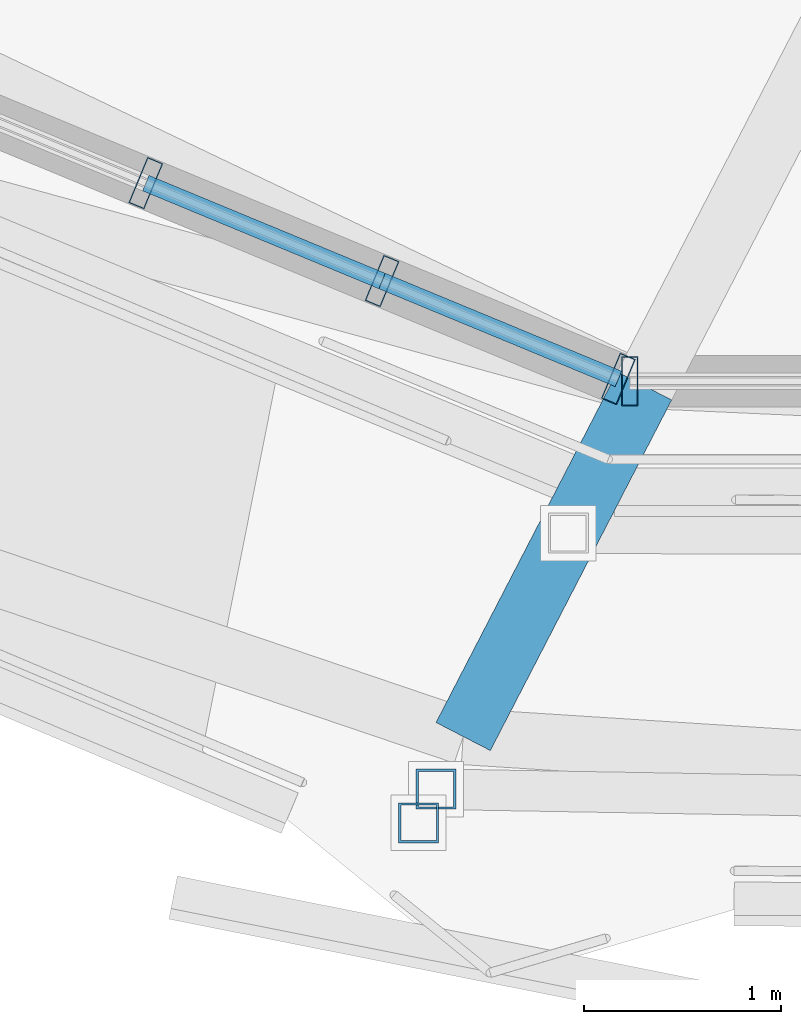
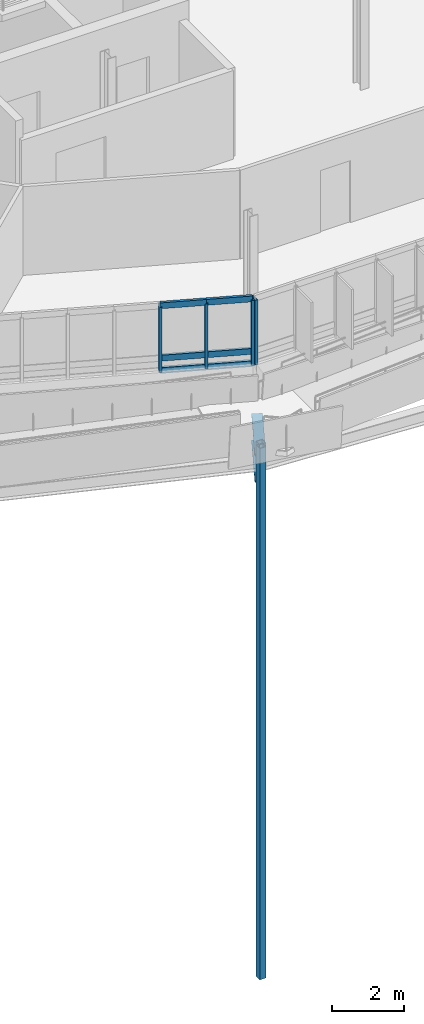
# One storey, part 4 of 38: 12 members, 1 beam, 2 elements without a shape of their own.
"""IFC4 building model written with IfcOpenShell, lengths in metres."""

from ifc_helpers import new_model, si_unit, derived_unit, direction, frame, origin, origin_2d, place, context, subcontext, project, spatial, hollow_rectangle, i_section, extrude, material, layer, layer_set, material_profile, profile_set, type_object, element, aggregate, save


model = new_model("IFC4")

# Units and contexts
model_context = context("Model", 3, precision=1e-05, world=origin(), true_north=direction((0.0, 1.0)))
body_context = subcontext(model_context, "Body", "Model", "MODEL_VIEW")
ifc_project = project(units=[si_unit("LENGTHUNIT", "METRE"), si_unit("AREAUNIT", "SQUARE_METRE"), si_unit("VOLUMEUNIT", "CUBIC_METRE"), si_unit("PLANEANGLEUNIT", "RADIAN"), si_unit("MASSUNIT", "GRAM", prefix="KILO"), derived_unit("THERMALTRANSMITTANCEUNIT", [(si_unit("MASSUNIT", "GRAM", prefix="KILO"), 1), (si_unit("TIMEUNIT", "SECOND"), -3), (si_unit("THERMODYNAMICTEMPERATUREUNIT", "KELVIN"), -1)])], contexts=[model_context])

# Site, building, storey
site_placement = place(None, origin())
site = spatial("IfcSite", under=ifc_project, at=site_placement, CompositionType="ELEMENT")
building_placement = place(site_placement, origin())
building = spatial("IfcBuilding", under=site, at=building_placement, Name="Makaiwela Harbour Ferry Terminal", CompositionType="ELEMENT")
storey_placement = place(building_placement, frame((0.0, 0.0, 17.699951171875)))
storey = spatial("IfcBuildingStorey", under=building, at=storey_placement, Name="L04", CompositionType="ELEMENT", Elevation=17.699951171875)

# Curtain wall, members
ifc_material_1 = material(Name="Marine anodised aluminium 6063-T6", Category="aluminium")
ifc_layer = layer(ifc_material_1, 0.199951171875)
ifc_layer_set = layer_set([ifc_layer], Name="Marine anodised aluminium 6063-T6")
curtain_wall_type = type_object("IfcCurtainWallType", Name="ENV-CW-06", PredefinedType="USERDEFINED", material=ifc_layer_set)
curtain_wall_1_placement = place(storey_placement, origin())
curtain_wall_1 = element("IfcCurtainWall", 1, at=curtain_wall_1_placement, inside=storey, type_object=curtain_wall_type, Name="Unitised Curtain Wall CWA-052", ObjectType="UNITIZED CURTAIN WALL", PredefinedType="USERDEFINED")
ifc_material_profile_1 = material_profile(ifc_material_1, hollow_rectangle(XDim=0.0849609375, YDim=0.25, WallThickness=0.0048828125, at=origin_2d()), Name="CWM-250X85")
ifc_profile_set_1 = profile_set([ifc_material_profile_1], Name="Marine anodised aluminium 6063-T6")
member_type_1 = type_object("IfcMemberType", Name="CW-MUL-250", PredefinedType="MULLION", material=ifc_profile_set_1)
member_1_placement = place(storey_placement, frame((29.06298828125, 46.82275390625, 1.47998046875), z_axis=(0.0, 0.0, 1.0), x_axis=(-0.923879532511, 0.382683432365, 0.0)))
member_1 = element("IfcMember", 2, at=member_1_placement, type_object=member_type_1, Name="Curtain Wall Mullion CWA-052-6", PredefinedType="MULLION", context=body_context, shape_type="SweptSolid", body=[
    extrude(hollow_rectangle(XDim=0.0849609375, YDim=0.25, WallThickness=0.0048828125, at=origin_2d()), origin(), (0.0, 0.0, 1.0), 2.199951171875),
])
member_2_placement = place(storey_placement, frame((30.260009765625, 46.326904296875, 1.47998046875), z_axis=(0.0, 0.0, 1.0), x_axis=(-0.923879532511, 0.382683432365, 0.0)))
member_2 = element("IfcMember", 3, at=member_2_placement, type_object=member_type_1, Name="Curtain Wall Mullion CWA-052-7", PredefinedType="MULLION", context=body_context, shape_type="SweptSolid", body=[
    extrude(hollow_rectangle(XDim=0.0849609375, YDim=0.25, WallThickness=0.0048828125, at=origin_2d()), origin(), (0.0, 0.0, 1.0), 2.199951171875),
])
member_3_placement = place(storey_placement, frame((31.457275390625, 45.8310546875, 1.47998046875), z_axis=(0.0, 0.0, 1.0), x_axis=(-0.923879532511, 0.382683432365, 0.0)))
member_3 = element("IfcMember", 4, at=member_3_placement, type_object=member_type_1, Name="Curtain Wall Mullion CWA-052-8", PredefinedType="MULLION", context=body_context, shape_type="SweptSolid", body=[
    extrude(hollow_rectangle(XDim=0.0849609375, YDim=0.25, WallThickness=0.0048828125, at=origin_2d()), origin(), (0.0, 0.0, 1.0), 2.199951171875),
])

# Curtain wall, member
curtain_wall_2_placement = place(storey_placement, origin())
curtain_wall_2 = element("IfcCurtainWall", 5, at=curtain_wall_2_placement, inside=storey, type_object=curtain_wall_type, Name="Unitised Curtain Wall CWA-053", ObjectType="UNITIZED CURTAIN WALL", PredefinedType="USERDEFINED")
member_4_placement = place(storey_placement, frame((31.514892578125, 45.819580078125, 1.47998046875), z_axis=(0.0, 0.0, 1.0), x_axis=(1.0, 0.0, 0.0)))
member_4 = element("IfcMember", 6, at=member_4_placement, type_object=member_type_1, Name="Curtain Wall Mullion CWA-053-1", PredefinedType="MULLION", context=body_context, shape_type="SweptSolid", body=[
    extrude(hollow_rectangle(XDim=0.0849609375, YDim=0.25, WallThickness=0.0048828125, at=origin_2d()), origin(), (0.0, 0.0, 1.0), 2.199951171875),
])
aggregate(curtain_wall_2, [member_4])

# Member
ifc_material_profile_2 = material_profile(ifc_material_1, hollow_rectangle(XDim=0.0849609375, YDim=0.199951171875, WallThickness=0.0048828125, at=origin_2d()), Name="CWT-200X85")
ifc_profile_set_2 = profile_set([ifc_material_profile_2], Name="Marine anodised aluminium 6063-T6")
member_type_2 = type_object("IfcMemberType", Name="CW-TRN-200", PredefinedType="USERDEFINED", material=ifc_profile_set_2)
member_5_placement = place(storey_placement, frame((29.06298828125, 46.82275390625, 1.47998046875), z_axis=(0.92387214393, -0.382701269492, 0.0), x_axis=(0.382701269492, 0.92387214393, 0.0)))
member_5 = element("IfcMember", 7, at=member_5_placement, type_object=member_type_2, Name="Curtain Wall Transom CWA-052-6-1", ObjectType="TRANSOM", PredefinedType="USERDEFINED", context=body_context, shape_type="SweptSolid", body=[
    extrude(hollow_rectangle(XDim=0.0849609375, YDim=0.199951171875, WallThickness=0.0048828125, at=origin_2d()), origin(), (0.0, 0.0, 1.0), 1.295654296875),
])

member_6_placement = place(storey_placement, frame((29.06298828125, 46.82275390625, 1.900146484375), z_axis=(0.92387214393, -0.382701269492, 0.0), x_axis=(0.382701269492, 0.92387214393, 0.0)))
member_6 = element("IfcMember", 8, at=member_6_placement, type_object=member_type_2, Name="Curtain Wall Transom CWA-052-6-2", ObjectType="TRANSOM", PredefinedType="USERDEFINED", context=body_context, shape_type="SweptSolid", body=[
    extrude(hollow_rectangle(XDim=0.0849609375, YDim=0.199951171875, WallThickness=0.0048828125, at=origin_2d()), origin(), (0.0, 0.0, 1.0), 1.295654296875),
])

member_7_placement = place(storey_placement, frame((29.06298828125, 46.82275390625, 3.679931640625), z_axis=(0.92387214393, -0.382701269492, 0.0), x_axis=(0.382701269492, 0.92387214393, 0.0)))
member_7 = element("IfcMember", 9, at=member_7_placement, type_object=member_type_2, Name="Curtain Wall Transom CWA-052-6-3", ObjectType="TRANSOM", PredefinedType="USERDEFINED", context=body_context, shape_type="SweptSolid", body=[
    extrude(hollow_rectangle(XDim=0.0849609375, YDim=0.199951171875, WallThickness=0.0048828125, at=origin_2d()), origin(), (0.0, 0.0, 1.0), 1.295654296875),
])

member_8_placement = place(storey_placement, frame((30.260009765625, 46.326904296875, 1.47998046875), z_axis=(0.923899734227, -0.382634657467, 0.0), x_axis=(0.382634657467, 0.923899734227, 0.0)))
member_8 = element("IfcMember", 10, at=member_8_placement, type_object=member_type_2, Name="Curtain Wall Transom CWA-052-7-1", ObjectType="TRANSOM", PredefinedType="USERDEFINED", context=body_context, shape_type="SweptSolid", body=[
    extrude(hollow_rectangle(XDim=0.0849609375, YDim=0.199951171875, WallThickness=0.0048828125, at=origin_2d()), origin(), (0.0, 0.0, 1.0), 1.2958984375),
])

member_9_placement = place(storey_placement, frame((30.260009765625, 46.326904296875, 1.900146484375), z_axis=(0.923899734227, -0.382634657467, 0.0), x_axis=(0.382634657467, 0.923899734227, 0.0)))
member_9 = element("IfcMember", 11, at=member_9_placement, type_object=member_type_2, Name="Curtain Wall Transom CWA-052-7-2", ObjectType="TRANSOM", PredefinedType="USERDEFINED", context=body_context, shape_type="SweptSolid", body=[
    extrude(hollow_rectangle(XDim=0.0849609375, YDim=0.199951171875, WallThickness=0.0048828125, at=origin_2d()), origin(), (0.0, 0.0, 1.0), 1.2958984375),
])

member_10_placement = place(storey_placement, frame((30.260009765625, 46.326904296875, 3.679931640625), z_axis=(0.923899734227, -0.382634657467, 0.0), x_axis=(0.382634657467, 0.923899734227, 0.0)))
member_10 = element("IfcMember", 12, at=member_10_placement, type_object=member_type_2, Name="Curtain Wall Transom CWA-052-7-3", ObjectType="TRANSOM", PredefinedType="USERDEFINED", context=body_context, shape_type="SweptSolid", body=[
    extrude(hollow_rectangle(XDim=0.0849609375, YDim=0.199951171875, WallThickness=0.0048828125, at=origin_2d()), origin(), (0.0, 0.0, 1.0), 1.2958984375),
])

aggregate(curtain_wall_1, [member_1, member_2, member_3, member_5, member_6, member_7, member_8, member_9, member_10])

# Beam
ifc_material_2 = material(Name="Steel ASTM A992 Grade 50", Category="steel")
ifc_material_profile_3 = material_profile(ifc_material_2, i_section(OverallWidth=0.31005859375, OverallDepth=0.949951171875, WebThickness=0.0244140625, FlangeThickness=0.0439453125, at=origin_2d()), Name="W36X256")
ifc_profile_set_3 = profile_set([ifc_material_profile_3], Name="Steel ASTM A992 Grade 50")
beam_type = type_object("IfcBeamType", Name="STR-GRD-W36X256", PredefinedType="USERDEFINED", material=ifc_profile_set_3)
beam_placement = place(storey_placement, frame((31.589599609375, 45.79541015625, -0.72998046875), z_axis=(-0.459329936396, -0.888265731372, 0.0), x_axis=(0.888265731372, -0.459329936396, 0.0)))
element("IfcBeam", 13, at=beam_placement, inside=storey, type_object=beam_type, Name="Drum overhang radial girder 440", ObjectType="GIRDER", PredefinedType="USERDEFINED", context=body_context, shape_type="SweptSolid", body=[
    extrude(i_section(OverallWidth=0.31005859375, OverallDepth=0.949951171875, WebThickness=0.0244140625, FlangeThickness=0.0439453125, at=origin_2d()), origin(), (0.0, 0.0, 1.0), 2.0),
])

# Members
ifc_material_3 = material(Name="Steel ASTM A500 Grade C", Category="steel")
ifc_material_profile_4 = material_profile(ifc_material_3, hollow_rectangle(XDim=0.202880859375, YDim=0.202880859375, WallThickness=0.01171875, at=origin_2d()), Name="HSS8X8X1/2")
ifc_profile_set_4 = profile_set([ifc_material_profile_4], Name="Steel ASTM A500 Grade C")
member_type_3 = type_object("IfcMemberType", Name="STR-PST-HSS8", PredefinedType="POST", material=ifc_profile_set_4)
member_11_placement = place(storey_placement, frame((30.445068359375, 43.581787109375, -17.64990234375), z_axis=(0.0, 0.0, 1.0), x_axis=(1.0, 0.0, 0.0)))
element("IfcMember", 14, at=member_11_placement, inside=storey, type_object=member_type_3, Name="Exterior Ramp Support Post RP-0055", PredefinedType="POST", context=body_context, shape_type="SweptSolid", body=[
    extrude(hollow_rectangle(XDim=0.202880859375, YDim=0.202880859375, WallThickness=0.01171875, at=origin_2d()), origin(), (0.0, 0.0, 1.0), 18.037109375),
])
member_12_placement = place(storey_placement, frame((30.533203125, 43.752197265625, -17.64990234375), z_axis=(0.0, 0.0, 1.0), x_axis=(1.0, 0.0, 0.0)))
element("IfcMember", 15, at=member_12_placement, inside=storey, type_object=member_type_3, Name="Exterior Ramp Support Post RP-0056", PredefinedType="POST", context=body_context, shape_type="SweptSolid", body=[
    extrude(hollow_rectangle(XDim=0.202880859375, YDim=0.202880859375, WallThickness=0.01171875, at=origin_2d()), origin(), (0.0, 0.0, 1.0), 18.029052734375),
])

save(model, "model.ifc")
